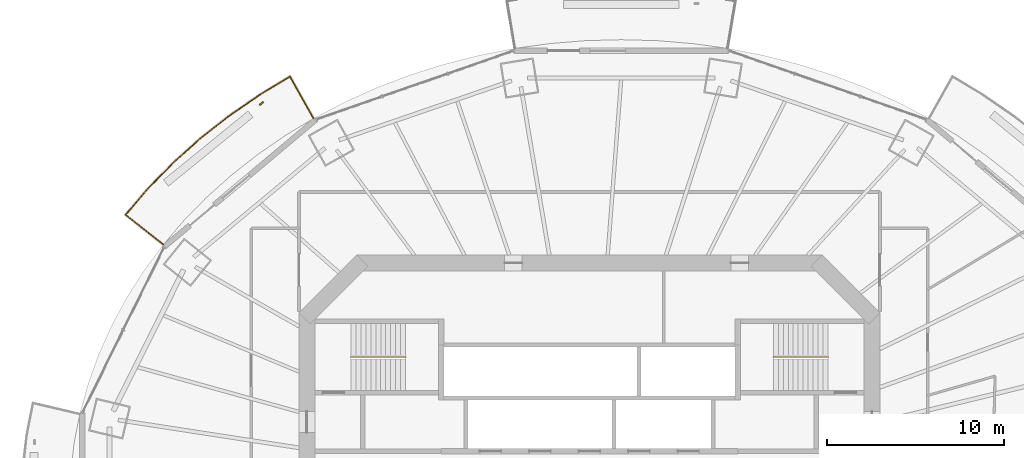
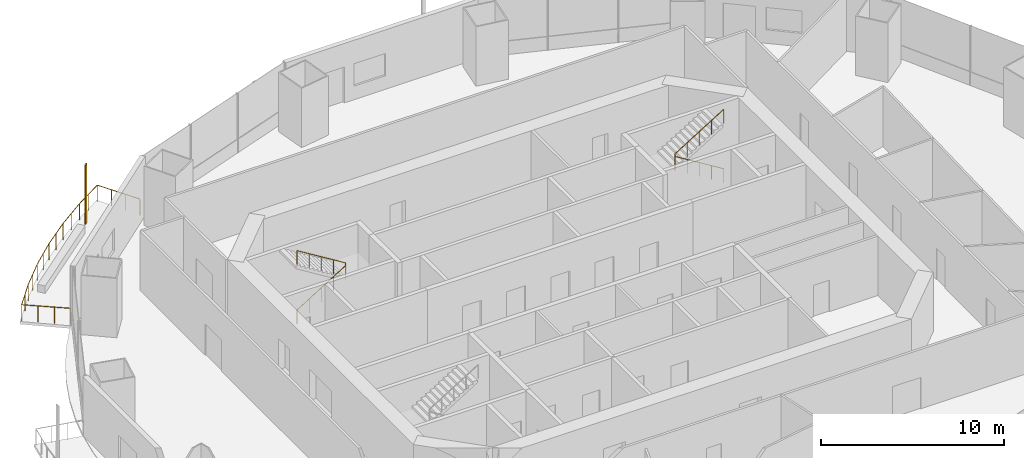
# One storey, part 17 of 20: 3 railings, 1 shading device.
"""IFC4 building model written with IfcOpenShell, lengths in metres."""

from ifc_helpers import new_model, si_unit, direction, frame, origin, origin_2d, place, context, subcontext, project, spatial, rectangle, circle, extrude, material, material_profile, profile_set, type_object, element, save


model = new_model("IFC4")

# Units and contexts
model_context = context("Model", 3, precision=1e-05, world=origin(), true_north=direction((0.0, 1.0)))
body_context = subcontext(model_context, "Body", "Model", "MODEL_VIEW")
ifc_project = project(units=[si_unit("LENGTHUNIT", "METRE"), si_unit("AREAUNIT", "SQUARE_METRE"), si_unit("VOLUMEUNIT", "CUBIC_METRE"), si_unit("PLANEANGLEUNIT", "RADIAN"), si_unit("MASSUNIT", "GRAM", prefix="KILO")], contexts=[model_context])

# Site, building, storey
site_placement = place(None, origin())
site = spatial("IfcSite", under=ifc_project, at=site_placement, CompositionType="ELEMENT")
building_placement = place(site_placement, origin())
building = spatial("IfcBuilding", under=site, at=building_placement, Name="Marenthal Gate Tower", CompositionType="ELEMENT")
storey_placement = place(building_placement, frame((0.0, 0.0, 215.0)))
storey = spatial("IfcBuildingStorey", under=building, at=storey_placement, Name="L47", CompositionType="ELEMENT", Elevation=215.0)

# Railings
ifc_material_1 = material(Name="Stainless steel", Category="steel")
railing_type_1 = type_object("IfcRailingType", Name="Balcony guard 1100", PredefinedType="GUARDRAIL", material=ifc_material_1)
railing_1_placement = place(storey_placement, frame((-24.133544921875, 14.04638671875, 0.0)))
element("IfcRailing", 1, at=railing_1_placement, inside=storey, type_object=railing_type_1, Name="Balcony guard L47 bay 6", PredefinedType="GUARDRAIL", context=body_context, shape_type="SweptSolid", body=[
    extrude(circle(Radius=0.02392578125, at=origin_2d()), frame((0.0, 0.0, 1.076171875), z_axis=(-0.782855020802, 0.62203005264, -0.014718356461), x_axis=(-0.622097438779, -0.78293982953, 0.0)), (0.0, 0.0, 1.0), 2.720458984375),
    extrude(circle(Radius=0.02392578125, at=origin_2d()), frame((-2.129638671875, 1.692138671875, 1.0361328125), z_axis=(0.650003821806, 0.759930938729, 0.0), x_axis=(-0.759930938729, 0.650003821806, 0.0)), (0.0, 0.0, 1.0), 1.941162109375),
    extrude(circle(Radius=0.02392578125, at=origin_2d()), frame((-0.867919921875, 3.167236328125, 1.0361328125), z_axis=(0.698852162548, 0.715266142707, 0.0), x_axis=(-0.715266142707, 0.698852162548, 0.0)), (0.0, 0.0, 1.0), 2.037841796875),
    extrude(circle(Radius=0.02392578125, at=origin_2d()), frame((0.55615234375, 4.624755859375, 1.0361328125), z_axis=(0.744380056443, 0.667756191712, 0.0), x_axis=(-0.667756191712, 0.744380056443, 0.0)), (0.0, 0.0, 1.0), 2.05517578125),
    extrude(circle(Radius=0.02392578125, at=origin_2d()), frame((2.0859375, 5.9970703125, 1.0361328125), z_axis=(0.78593395674, 0.618310452477, 0.0), x_axis=(-0.618310452477, 0.78593395674, 0.0)), (0.0, 0.0, 1.0), 2.072509765625),
    extrude(circle(Radius=0.02392578125, at=origin_2d()), frame((3.71484375, 7.278564453125, 1.0361328125), z_axis=(0.823267382134, 0.56765378314, 0.0), x_axis=(-0.56765378314, 0.823267382134, 0.0)), (0.0, 0.0, 1.0), 2.08984375),
    extrude(circle(Radius=0.02392578125, at=origin_2d()), frame((5.435302734375, 8.46484375, 1.0361328125), z_axis=(0.856107698036, 0.516797454873, 0.0), x_axis=(-0.516797454873, 0.856107698036, 0.0)), (0.0, 0.0, 1.0), 2.026123046875),
    extrude(circle(Radius=0.02392578125, at=origin_2d()), frame((7.169921875, 9.511962890625, 1.0361328125), z_axis=(0.489760652224, -0.871732676388, 0.014718846796), x_axis=(0.871827119757, 0.489813712809, 0.0)), (0.0, 0.0, 1.0), 2.72021484375),
    extrude(circle(Radius=0.02099609375, at=origin_2d()), origin(), (0.0, 0.0, 1.0), 1.052001953125),
    extrude(circle(Radius=0.02099609375, at=origin_2d()), frame((-0.7099609375, 0.56396484375, -0.013427734375)), (0.0, 0.0, 1.0), 1.052001953125),
    extrude(circle(Radius=0.02099609375, at=origin_2d()), frame((-1.419677734375, 1.128173828125, -0.026611328125)), (0.0, 0.0, 1.0), 1.052001953125),
    extrude(circle(Radius=0.02099609375, at=origin_2d()), frame((-2.129638671875, 1.692138671875, -0.0400390625)), (0.0, 0.0, 1.0), 1.052001953125),
    extrude(circle(Radius=0.02099609375, at=origin_2d()), frame((-1.498779296875, 2.4296875, -0.0400390625)), (0.0, 0.0, 1.0), 1.052001953125),
    extrude(circle(Radius=0.02099609375, at=origin_2d()), frame((-0.867919921875, 3.167236328125, -0.0400390625)), (0.0, 0.0, 1.0), 1.052001953125),
    extrude(circle(Radius=0.02099609375, at=origin_2d()), frame((-0.15576171875, 3.89599609375, -0.0400390625)), (0.0, 0.0, 1.0), 1.052001953125),
    extrude(circle(Radius=0.02099609375, at=origin_2d()), frame((0.55615234375, 4.624755859375, -0.0400390625)), (0.0, 0.0, 1.0), 1.052001953125),
    extrude(circle(Radius=0.02099609375, at=origin_2d()), frame((1.321044921875, 5.31103515625, -0.0400390625)), (0.0, 0.0, 1.0), 1.052001953125),
    extrude(circle(Radius=0.02099609375, at=origin_2d()), frame((2.0859375, 5.9970703125, -0.0400390625)), (0.0, 0.0, 1.0), 1.052001953125),
    extrude(circle(Radius=0.02099609375, at=origin_2d()), frame((2.900390625, 6.6376953125, -0.0400390625)), (0.0, 0.0, 1.0), 1.052001953125),
    extrude(circle(Radius=0.02099609375, at=origin_2d()), frame((3.71484375, 7.278564453125, -0.0400390625)), (0.0, 0.0, 1.0), 1.052001953125),
    extrude(circle(Radius=0.02099609375, at=origin_2d()), frame((4.5751953125, 7.87158203125, -0.0400390625)), (0.0, 0.0, 1.0), 1.052001953125),
    extrude(circle(Radius=0.02099609375, at=origin_2d()), frame((5.435302734375, 8.46484375, -0.0400390625)), (0.0, 0.0, 1.0), 1.052001953125),
    extrude(circle(Radius=0.02099609375, at=origin_2d()), frame((6.302734375, 8.98828125, -0.0400390625)), (0.0, 0.0, 1.0), 1.052001953125),
    extrude(circle(Radius=0.02099609375, at=origin_2d()), frame((7.169921875, 9.511962890625, -0.0400390625)), (0.0, 0.0, 1.0), 1.052001953125),
    extrude(circle(Radius=0.02099609375, at=origin_2d()), frame((7.614013671875, 8.721435546875, -0.026611328125)), (0.0, 0.0, 1.0), 1.052001953125),
    extrude(circle(Radius=0.02099609375, at=origin_2d()), frame((8.05810546875, 7.93115234375, -0.013427734375)), (0.0, 0.0, 1.0), 1.052001953125),
    extrude(circle(Radius=0.02099609375, at=origin_2d()), frame((8.502197265625, 7.140625, 0.0)), (0.0, 0.0, 1.0), 1.052001953125),
])
ifc_material_2 = material(Name="Stainless steel", Category="steel")
railing_type_2 = type_object("IfcRailingType", Name="Stair handrail", PredefinedType="HANDRAIL", material=ifc_material_2)
railing_2_placement = place(storey_placement, frame((-13.5, 7.675048828125, 0.1728515625)))
element("IfcRailing", 2, at=railing_2_placement, inside=storey, type_object=railing_type_2, Name="Handrail ST1", PredefinedType="HANDRAIL", context=body_context, shape_type="SweptSolid", body=[
    extrude(circle(Radius=0.0224609375, at=origin_2d()), frame((0.0, 0.0, 0.927490234375), z_axis=(0.850835241893, 0.0, 0.525432575268), x_axis=(0.0, 1.0, 0.0)), (0.0, 0.0, 1.0), 3.6201171875),
    extrude(circle(Radius=0.0224609375, at=origin_2d()), frame((3.080078125, 0.0, 2.82958984375), z_axis=(0.0, 0.0, 1.0), x_axis=(1.0, 0.0, 0.0)), (0.0, 0.0, 1.0), 0.1728515625),
    extrude(circle(Radius=0.0224609375, at=origin_2d()), frame((3.080078125, 0.0, 3.00244140625), z_axis=(-0.850835241893, 0.0, 0.525432575268), x_axis=(0.0, -1.0, 0.0)), (0.0, 0.0, 1.0), 3.6201171875),
    extrude(circle(Radius=0.02001953125, at=origin_2d()), origin(), (0.0, 0.0, 1.0), 0.905029296875),
    extrude(circle(Radius=0.02001953125, at=origin_2d()), frame((0.77001953125, 0.0, 0.4755859375)), (0.0, 0.0, 1.0), 0.905029296875),
    extrude(circle(Radius=0.02001953125, at=origin_2d()), frame((1.5400390625, 0.0, 0.951171875)), (0.0, 0.0, 1.0), 0.905029296875),
    extrude(circle(Radius=0.02001953125, at=origin_2d()), frame((2.31005859375, 0.0, 1.426513671875)), (0.0, 0.0, 1.0), 0.905029296875),
    extrude(circle(Radius=0.02001953125, at=origin_2d()), frame((3.080078125, 0.0, 1.902099609375)), (0.0, 0.0, 1.0), 0.905029296875),
    extrude(circle(Radius=0.02001953125, at=origin_2d()), frame((3.080078125, 0.0, 2.074951171875)), (0.0, 0.0, 1.0), 0.905029296875),
    extrude(circle(Radius=0.02001953125, at=origin_2d()), frame((2.31005859375, 0.0, 2.550537109375)), (0.0, 0.0, 1.0), 0.905029296875),
    extrude(circle(Radius=0.02001953125, at=origin_2d()), frame((1.5400390625, 0.0, 3.02587890625)), (0.0, 0.0, 1.0), 0.905029296875),
    extrude(circle(Radius=0.02001953125, at=origin_2d()), frame((0.77001953125, 0.0, 3.50146484375)), (0.0, 0.0, 1.0), 0.905029296875),
    extrude(circle(Radius=0.02001953125, at=origin_2d()), frame((0.0, 0.0, 3.97705078125)), (0.0, 0.0, 1.0), 0.905029296875),
])
railing_3_placement = place(storey_placement, frame((13.5, 7.675048828125, 0.1728515625)))
element("IfcRailing", 3, at=railing_3_placement, inside=storey, type_object=railing_type_2, Name="Handrail ST3", PredefinedType="HANDRAIL", context=body_context, shape_type="SweptSolid", body=[
    extrude(circle(Radius=0.0224609375, at=origin_2d()), frame((0.0, 0.0, 0.927490234375), z_axis=(-0.850835241893, 0.0, 0.525432575268), x_axis=(0.0, -1.0, 0.0)), (0.0, 0.0, 1.0), 3.6201171875),
    extrude(circle(Radius=0.0224609375, at=origin_2d()), frame((-3.080078125, 0.0, 2.82958984375), z_axis=(0.0, 0.0, 1.0), x_axis=(1.0, 0.0, 0.0)), (0.0, 0.0, 1.0), 0.1728515625),
    extrude(circle(Radius=0.0224609375, at=origin_2d()), frame((-3.080078125, 0.0, 3.00244140625), z_axis=(0.850835241893, 0.0, 0.525432575268), x_axis=(0.0, 1.0, 0.0)), (0.0, 0.0, 1.0), 3.6201171875),
    extrude(circle(Radius=0.02001953125, at=origin_2d()), origin(), (0.0, 0.0, 1.0), 0.905029296875),
    extrude(circle(Radius=0.02001953125, at=origin_2d()), frame((-0.77001953125, 0.0, 0.4755859375)), (0.0, 0.0, 1.0), 0.905029296875),
    extrude(circle(Radius=0.02001953125, at=origin_2d()), frame((-1.5400390625, 0.0, 0.951171875)), (0.0, 0.0, 1.0), 0.905029296875),
    extrude(circle(Radius=0.02001953125, at=origin_2d()), frame((-2.31005859375, 0.0, 1.426513671875)), (0.0, 0.0, 1.0), 0.905029296875),
    extrude(circle(Radius=0.02001953125, at=origin_2d()), frame((-3.080078125, 0.0, 1.902099609375)), (0.0, 0.0, 1.0), 0.905029296875),
    extrude(circle(Radius=0.02001953125, at=origin_2d()), frame((-3.080078125, 0.0, 2.074951171875)), (0.0, 0.0, 1.0), 0.905029296875),
    extrude(circle(Radius=0.02001953125, at=origin_2d()), frame((-2.31005859375, 0.0, 2.550537109375)), (0.0, 0.0, 1.0), 0.905029296875),
    extrude(circle(Radius=0.02001953125, at=origin_2d()), frame((-1.5400390625, 0.0, 3.02587890625)), (0.0, 0.0, 1.0), 0.905029296875),
    extrude(circle(Radius=0.02001953125, at=origin_2d()), frame((-0.77001953125, 0.0, 3.50146484375)), (0.0, 0.0, 1.0), 0.905029296875),
    extrude(circle(Radius=0.02001953125, at=origin_2d()), frame((0.0, 0.0, 3.97705078125)), (0.0, 0.0, 1.0), 0.905029296875),
])

# Shading device
ifc_material_3 = material(Name="Terracotta", Category="masonry")
ifc_material_profile = material_profile(ifc_material_3, rectangle(XDim=0.25, YDim=0.080078125, at=origin_2d()), Name="Terracotta baguette 250x80")
ifc_profile_set = profile_set([ifc_material_profile], Name="Terracotta")
shading_device_type = type_object("IfcShadingDeviceType", Name="Terracotta BAGUETTE SCREEN 250x80", PredefinedType="USERDEFINED", material=ifc_profile_set)
shading_device_placement = place(storey_placement, frame((-18.57275390625, 22.03759765625, -0.0400390625), z_axis=(0.0, 0.0, 1.0), x_axis=(-0.765627996549, -0.643283585131, 0.0)))
element("IfcShadingDevice", 4, at=shading_device_placement, inside=storey, type_object=shading_device_type, Name="Terracotta BAGUETTE L47 bay 6L", ObjectType="BAGUETTE SCREEN", PredefinedType="USERDEFINED", context=body_context, shape_type="SweptSolid", body=[
    extrude(rectangle(XDim=0.25, YDim=0.080078125, at=origin_2d()), origin(), (0.0, 0.0, 1.0), 3.969970703125),
])

save(model, "model.ifc")
